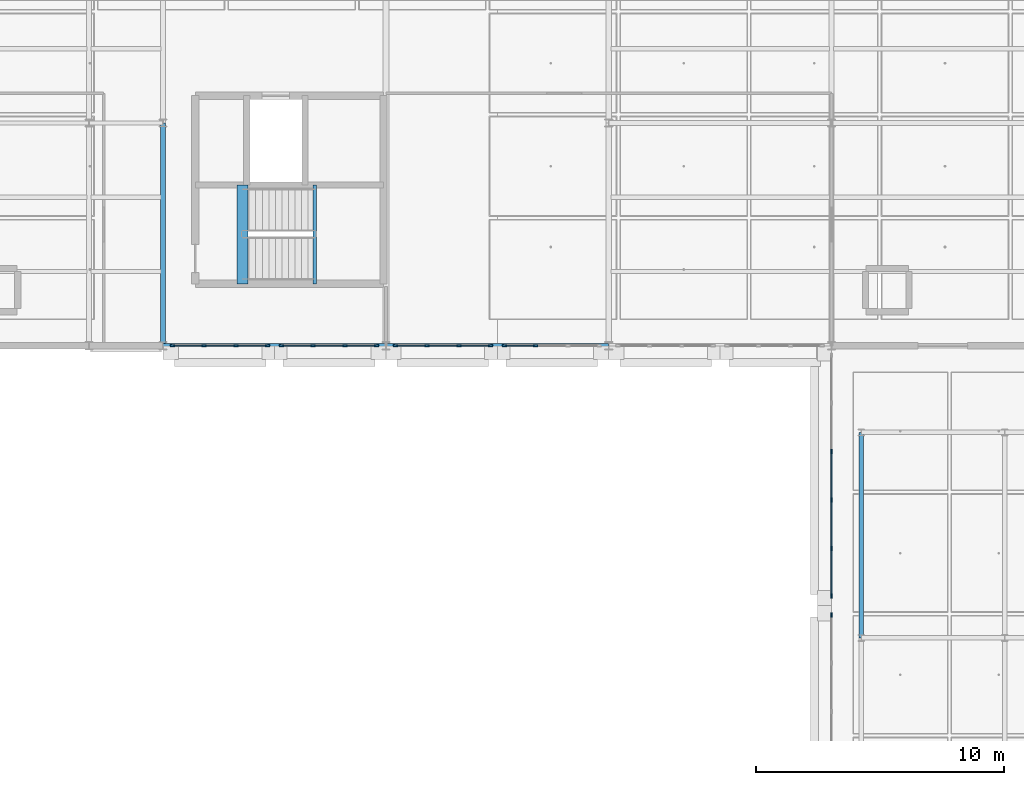
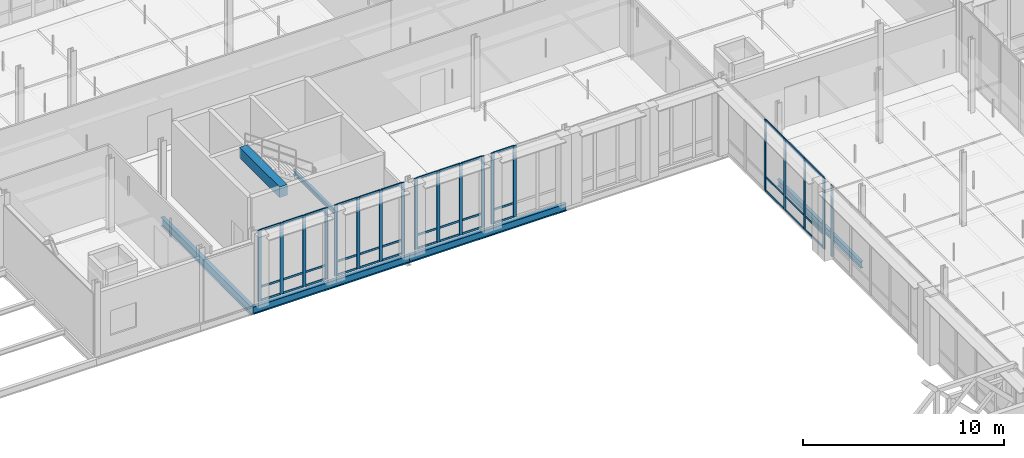
# One storey, part 51 of 140: 58 members, 6 beams, 6 elements without a shape of their own.
"""IFC4 building model written with IfcOpenShell, lengths in metres."""

from ifc_helpers import new_model, si_unit, direction, frame, origin, origin_2d, place, context, subcontext, project, spatial, rectangle, i_section, extrude, material, material_profile, profile_set, type_object, element, aggregate, save


model = new_model("IFC4")

# Units and contexts
model_context = context("Model", 3, precision=1e-05, world=origin(), true_north=direction((0.0, 1.0)))
body_context = subcontext(model_context, "Body", "Model", "MODEL_VIEW")
ifc_project = project(units=[si_unit("LENGTHUNIT", "METRE"), si_unit("AREAUNIT", "SQUARE_METRE"), si_unit("VOLUMEUNIT", "CUBIC_METRE"), si_unit("PLANEANGLEUNIT", "RADIAN"), si_unit("MASSUNIT", "GRAM", prefix="KILO"), si_unit("THERMODYNAMICTEMPERATUREUNIT", "KELVIN"), si_unit("POWERUNIT", "WATT")], contexts=[model_context])

# Site, building, storey
site_placement = place(None, origin())
site = spatial("IfcSite", under=ifc_project, at=site_placement, CompositionType="ELEMENT")
building_placement = place(site_placement, origin())
building = spatial("IfcBuilding", under=site, at=building_placement, Name="Tallowbark Science Centre", CompositionType="ELEMENT")
storey_placement = place(building_placement, frame((0.0, 0.0, 9.89990234375)))
storey = spatial("IfcBuildingStorey", under=building, at=storey_placement, Name="L02", CompositionType="ELEMENT", Elevation=9.89990234375)

# Beams
ifc_material_1 = material(Name="Concrete Grade N40 (40 MPa)", Category="concrete")
ifc_material_profile_1 = material_profile(ifc_material_1, rectangle(XDim=0.449951171875, YDim=0.64990234375, at=origin_2d()), Name="RC450x650")
ifc_profile_set_1 = profile_set([ifc_material_profile_1], Name="Concrete Grade N40 (40 MPa)")
beam_type_1 = type_object("IfcBeamType", Name="BM-GB2-N40", PredefinedType="BEAM", material=ifc_profile_set_1)
beam_1_placement = place(storey_placement, frame((75.2099609375, 74.5, 4.175048828125), z_axis=(0.0, 1.0, 0.0), x_axis=(-1.0, 0.0, 0.0)))
element("IfcBeam", 1, at=beam_1_placement, inside=storey, type_object=beam_type_1, Name="Stair ST-01 Landing Nosing Beam L02", PredefinedType="BEAM", context=body_context, shape_type="SweptSolid", body=[
    extrude(rectangle(XDim=0.449951171875, YDim=0.64990234375, at=origin_2d()), origin(), (0.0, 0.0, 1.0), 3.9951171875),
])
ifc_material_2 = material(Name="Structural Steel Grade 300PLUS (300 MPa)", Category="steel")
ifc_material_profile_2 = material_profile(ifc_material_2, i_section(OverallWidth=0.177734375, OverallDepth=0.406494140625, WebThickness=0.0078125, FlangeThickness=0.0126953125, FilletRadius=0.011474609375, at=origin_2d()), Name="410UB59.7")
ifc_profile_set_2 = profile_set([ifc_material_profile_2], Name="Structural Steel Grade 300PLUS (300 MPa)")
beam_type_2 = type_object("IfcBeamType", Name="BM-UB410", PredefinedType="BEAM", material=ifc_profile_set_2)
beam_2_placement = place(storey_placement, frame((100.199951171875, 60.199951171875, -0.383056640625), z_axis=(0.0, 1.0, 0.0), x_axis=(-1.0, 0.0, 0.0)))
element("IfcBeam", 2, at=beam_2_placement, inside=storey, type_object=beam_type_2, Name="Primary Girder GRDY-L02-1002-602-685", PredefinedType="BEAM", context=body_context, shape_type="SweptSolid", body=[
    extrude(i_section(OverallWidth=0.177734375, OverallDepth=0.406494140625, WebThickness=0.0078125, FlangeThickness=0.0126953125, FilletRadius=0.011474609375, at=origin_2d()), origin(), (0.0, 0.0, 1.0), 8.300048828125),
])
ifc_material_profile_3 = material_profile(ifc_material_2, i_section(OverallWidth=0.208740234375, OverallDepth=0.5283203125, WebThickness=0.009521484375, FlangeThickness=0.01318359375, FilletRadius=0.013916015625, at=origin_2d()), Name="530UB82.0")
ifc_profile_set_3 = profile_set([ifc_material_profile_3], Name="Structural Steel Grade 300PLUS (300 MPa)")
beam_type_3 = type_object("IfcBeamType", Name="BM-UB530B", PredefinedType="BEAM", material=ifc_profile_set_3)
beam_3_placement = place(storey_placement, frame((72.0, 72.0, -0.444091796875), z_axis=(0.0, 1.0, 0.0), x_axis=(-1.0, 0.0, 0.0)))
element("IfcBeam", 3, at=beam_3_placement, inside=storey, type_object=beam_type_3, Name="Primary Girder GRDY-L02-720-720-810", PredefinedType="BEAM", context=body_context, shape_type="SweptSolid", body=[
    extrude(i_section(OverallWidth=0.208740234375, OverallDepth=0.5283203125, WebThickness=0.009521484375, FlangeThickness=0.01318359375, FilletRadius=0.013916015625, at=origin_2d()), origin(), (0.0, 0.0, 1.0), 9.0),
])

# Curtain wall, member
ifc_material_3 = material(Name="Unitised Thermally Broken Aluminium and Low-E Double Glazing", Category="aluminium")
curtain_wall_type = type_object("IfcCurtainWallType", Name="CW-SYS-FACADE", PredefinedType="NOTDEFINED", material=ifc_material_3)
curtain_wall_1_placement = place(storey_placement, origin())
curtain_wall_1 = element("IfcCurtainWall", 4, at=curtain_wall_1_placement, inside=storey, type_object=curtain_wall_type, Name="Unitised Curtain Wall LNK-W-1 CW-L02-018", PredefinedType="NOTDEFINED")
ifc_material_4 = material(Name="Anodised Architectural Aluminium Alloy 6063-T6", Category="aluminium")
ifc_material_profile_4 = material_profile(ifc_material_4, rectangle(XDim=0.06494140625, YDim=0.179931640625, at=origin_2d()), Name="ALU65x180")
ifc_profile_set_4 = profile_set([ifc_material_profile_4], Name="Anodised Architectural Aluminium Alloy 6063-T6")
member_type_1 = type_object("IfcMemberType", Name="CWM-MUL-220", PredefinedType="MULLION", material=ifc_profile_set_4)
member_1_placement = place(storey_placement, frame((99.0, 61.117431640625, 0.0), z_axis=(0.0, 0.0, 1.0), x_axis=(1.0, 0.0, 0.0)))
member_1 = element("IfcMember", 5, at=member_1_placement, type_object=member_type_1, Name="CW-01 mullion 1", PredefinedType="MULLION", context=body_context, shape_type="SweptSolid", body=[
    extrude(rectangle(XDim=0.06494140625, YDim=0.179931640625, at=origin_2d()), origin(), (0.0, 0.0, 1.0), 4.320068359375),
])
aggregate(curtain_wall_1, [member_1])

# Curtain wall, members
curtain_wall_2_placement = place(storey_placement, origin())
curtain_wall_2 = element("IfcCurtainWall", 6, at=curtain_wall_2_placement, inside=storey, type_object=curtain_wall_type, Name="Unitised Curtain Wall LNK-W-2 CW-L02-020", PredefinedType="NOTDEFINED")
member_2_placement = place(storey_placement, frame((99.0, 67.72998046875, 0.0), z_axis=(0.0, 0.0, 1.0), x_axis=(1.0, 0.0, 0.0)))
member_2 = element("IfcMember", 7, at=member_2_placement, type_object=member_type_1, Name="CW-01 mullion 3", PredefinedType="MULLION", context=body_context, shape_type="SweptSolid", body=[
    extrude(rectangle(XDim=0.06494140625, YDim=0.179931640625, at=origin_2d()), origin(), (0.0, 0.0, 1.0), 4.320068359375),
])
member_3_placement = place(storey_placement, frame((99.0, 65.77001953125, 0.0), z_axis=(0.0, 0.0, 1.0), x_axis=(1.0, 0.0, 0.0)))
member_3 = element("IfcMember", 8, at=member_3_placement, type_object=member_type_1, Name="CW-01 mullion 4", PredefinedType="MULLION", context=body_context, shape_type="SweptSolid", body=[
    extrude(rectangle(XDim=0.06494140625, YDim=0.179931640625, at=origin_2d()), origin(), (0.0, 0.0, 1.0), 4.320068359375),
])
member_4_placement = place(storey_placement, frame((99.0, 63.81005859375, 0.0), z_axis=(0.0, 0.0, 1.0), x_axis=(1.0, 0.0, 0.0)))
member_4 = element("IfcMember", 9, at=member_4_placement, type_object=member_type_1, Name="CW-01 mullion 5", PredefinedType="MULLION", context=body_context, shape_type="SweptSolid", body=[
    extrude(rectangle(XDim=0.06494140625, YDim=0.179931640625, at=origin_2d()), origin(), (0.0, 0.0, 1.0), 4.320068359375),
])
member_5_placement = place(storey_placement, frame((99.0, 61.882568359375, 0.0), z_axis=(0.0, 0.0, 1.0), x_axis=(1.0, 0.0, 0.0)))
member_5 = element("IfcMember", 10, at=member_5_placement, type_object=member_type_1, Name="CW-01 mullion 6", PredefinedType="MULLION", context=body_context, shape_type="SweptSolid", body=[
    extrude(rectangle(XDim=0.06494140625, YDim=0.179931640625, at=origin_2d()), origin(), (0.0, 0.0, 1.0), 4.320068359375),
])

curtain_wall_3_placement = place(storey_placement, origin())
curtain_wall_3 = element("IfcCurtainWall", 11, at=curtain_wall_3_placement, inside=storey, type_object=curtain_wall_type, Name="Unitised Curtain Wall LAB-S-72A CW-L02-060", PredefinedType="NOTDEFINED")
member_6_placement = place(storey_placement, frame((72.382568359375, 72.0, 0.0), z_axis=(0.0, 0.0, 1.0), x_axis=(0.0, 1.0, 0.0)))
member_6 = element("IfcMember", 12, at=member_6_placement, type_object=member_type_1, Name="CW-01 mullion 1", PredefinedType="MULLION", context=body_context, shape_type="SweptSolid", body=[
    extrude(rectangle(XDim=0.06494140625, YDim=0.179931640625, at=origin_2d()), origin(), (0.0, 0.0, 1.0), 4.320068359375),
])
member_7_placement = place(storey_placement, frame((73.64990234375, 72.0, 0.0), z_axis=(0.0, 0.0, 1.0), x_axis=(0.0, 1.0, 0.0)))
member_7 = element("IfcMember", 13, at=member_7_placement, type_object=member_type_1, Name="CW-01 mullion 2", PredefinedType="MULLION", context=body_context, shape_type="SweptSolid", body=[
    extrude(rectangle(XDim=0.06494140625, YDim=0.179931640625, at=origin_2d()), origin(), (0.0, 0.0, 1.0), 4.320068359375),
])
member_8_placement = place(storey_placement, frame((74.949951171875, 72.0, 0.0), z_axis=(0.0, 0.0, 1.0), x_axis=(0.0, 1.0, 0.0)))
member_8 = element("IfcMember", 14, at=member_8_placement, type_object=member_type_1, Name="CW-01 mullion 3", PredefinedType="MULLION", context=body_context, shape_type="SweptSolid", body=[
    extrude(rectangle(XDim=0.06494140625, YDim=0.179931640625, at=origin_2d()), origin(), (0.0, 0.0, 1.0), 4.320068359375),
])
member_9_placement = place(storey_placement, frame((76.217529296875, 72.0, 0.0), z_axis=(0.0, 0.0, 1.0), x_axis=(0.0, 1.0, 0.0)))
member_9 = element("IfcMember", 15, at=member_9_placement, type_object=member_type_1, Name="CW-01 mullion 4", PredefinedType="MULLION", context=body_context, shape_type="SweptSolid", body=[
    extrude(rectangle(XDim=0.06494140625, YDim=0.179931640625, at=origin_2d()), origin(), (0.0, 0.0, 1.0), 4.320068359375),
])

curtain_wall_4_placement = place(storey_placement, origin())
curtain_wall_4 = element("IfcCurtainWall", 16, at=curtain_wall_4_placement, inside=storey, type_object=curtain_wall_type, Name="Unitised Curtain Wall LAB-S-72B CW-L02-061", PredefinedType="NOTDEFINED")
member_10_placement = place(storey_placement, frame((76.782470703125, 72.0, 0.0), z_axis=(0.0, 0.0, 1.0), x_axis=(0.0, 1.0, 0.0)))
member_10 = element("IfcMember", 17, at=member_10_placement, type_object=member_type_1, Name="CW-01 mullion 1", PredefinedType="MULLION", context=body_context, shape_type="SweptSolid", body=[
    extrude(rectangle(XDim=0.06494140625, YDim=0.179931640625, at=origin_2d()), origin(), (0.0, 0.0, 1.0), 4.320068359375),
])
member_11_placement = place(storey_placement, frame((78.050048828125, 72.0, 0.0), z_axis=(0.0, 0.0, 1.0), x_axis=(0.0, 1.0, 0.0)))
member_11 = element("IfcMember", 18, at=member_11_placement, type_object=member_type_1, Name="CW-01 mullion 2", PredefinedType="MULLION", context=body_context, shape_type="SweptSolid", body=[
    extrude(rectangle(XDim=0.06494140625, YDim=0.179931640625, at=origin_2d()), origin(), (0.0, 0.0, 1.0), 4.320068359375),
])
member_12_placement = place(storey_placement, frame((79.35009765625, 72.0, 0.0), z_axis=(0.0, 0.0, 1.0), x_axis=(0.0, 1.0, 0.0)))
member_12 = element("IfcMember", 19, at=member_12_placement, type_object=member_type_1, Name="CW-01 mullion 3", PredefinedType="MULLION", context=body_context, shape_type="SweptSolid", body=[
    extrude(rectangle(XDim=0.06494140625, YDim=0.179931640625, at=origin_2d()), origin(), (0.0, 0.0, 1.0), 4.320068359375),
])
member_13_placement = place(storey_placement, frame((80.617431640625, 72.0, 0.0), z_axis=(0.0, 0.0, 1.0), x_axis=(0.0, 1.0, 0.0)))
member_13 = element("IfcMember", 20, at=member_13_placement, type_object=member_type_1, Name="CW-01 mullion 4", PredefinedType="MULLION", context=body_context, shape_type="SweptSolid", body=[
    extrude(rectangle(XDim=0.06494140625, YDim=0.179931640625, at=origin_2d()), origin(), (0.0, 0.0, 1.0), 4.320068359375),
])

curtain_wall_5_placement = place(storey_placement, origin())
curtain_wall_5 = element("IfcCurtainWall", 21, at=curtain_wall_5_placement, inside=storey, type_object=curtain_wall_type, Name="Unitised Curtain Wall LAB-S-81A CW-L02-062", PredefinedType="NOTDEFINED")
member_14_placement = place(storey_placement, frame((81.382568359375, 72.0, 0.0), z_axis=(0.0, 0.0, 1.0), x_axis=(0.0, 1.0, 0.0)))
member_14 = element("IfcMember", 22, at=member_14_placement, type_object=member_type_1, Name="CW-01 mullion 1", PredefinedType="MULLION", context=body_context, shape_type="SweptSolid", body=[
    extrude(rectangle(XDim=0.06494140625, YDim=0.179931640625, at=origin_2d()), origin(), (0.0, 0.0, 1.0), 4.320068359375),
])
member_15_placement = place(storey_placement, frame((82.64990234375, 72.0, 0.0), z_axis=(0.0, 0.0, 1.0), x_axis=(0.0, 1.0, 0.0)))
member_15 = element("IfcMember", 23, at=member_15_placement, type_object=member_type_1, Name="CW-01 mullion 2", PredefinedType="MULLION", context=body_context, shape_type="SweptSolid", body=[
    extrude(rectangle(XDim=0.06494140625, YDim=0.179931640625, at=origin_2d()), origin(), (0.0, 0.0, 1.0), 4.320068359375),
])
member_16_placement = place(storey_placement, frame((83.949951171875, 72.0, 0.0), z_axis=(0.0, 0.0, 1.0), x_axis=(0.0, 1.0, 0.0)))
member_16 = element("IfcMember", 24, at=member_16_placement, type_object=member_type_1, Name="CW-01 mullion 3", PredefinedType="MULLION", context=body_context, shape_type="SweptSolid", body=[
    extrude(rectangle(XDim=0.06494140625, YDim=0.179931640625, at=origin_2d()), origin(), (0.0, 0.0, 1.0), 4.320068359375),
])
member_17_placement = place(storey_placement, frame((85.217529296875, 72.0, 0.0), z_axis=(0.0, 0.0, 1.0), x_axis=(0.0, 1.0, 0.0)))
member_17 = element("IfcMember", 25, at=member_17_placement, type_object=member_type_1, Name="CW-01 mullion 4", PredefinedType="MULLION", context=body_context, shape_type="SweptSolid", body=[
    extrude(rectangle(XDim=0.06494140625, YDim=0.179931640625, at=origin_2d()), origin(), (0.0, 0.0, 1.0), 4.320068359375),
])

curtain_wall_6_placement = place(storey_placement, origin())
curtain_wall_6 = element("IfcCurtainWall", 26, at=curtain_wall_6_placement, inside=storey, type_object=curtain_wall_type, Name="Unitised Curtain Wall LAB-S-81B CW-L02-063", PredefinedType="NOTDEFINED")
member_18_placement = place(storey_placement, frame((85.782470703125, 72.0, 0.0), z_axis=(0.0, 0.0, 1.0), x_axis=(0.0, 1.0, 0.0)))
member_18 = element("IfcMember", 27, at=member_18_placement, type_object=member_type_1, Name="CW-01 mullion 1", PredefinedType="MULLION", context=body_context, shape_type="SweptSolid", body=[
    extrude(rectangle(XDim=0.06494140625, YDim=0.179931640625, at=origin_2d()), origin(), (0.0, 0.0, 1.0), 4.320068359375),
])
member_19_placement = place(storey_placement, frame((87.050048828125, 72.0, 0.0), z_axis=(0.0, 0.0, 1.0), x_axis=(0.0, 1.0, 0.0)))
member_19 = element("IfcMember", 28, at=member_19_placement, type_object=member_type_1, Name="CW-01 mullion 2", PredefinedType="MULLION", context=body_context, shape_type="SweptSolid", body=[
    extrude(rectangle(XDim=0.06494140625, YDim=0.179931640625, at=origin_2d()), origin(), (0.0, 0.0, 1.0), 4.320068359375),
])

# Member
ifc_material_profile_5 = material_profile(ifc_material_4, rectangle(XDim=0.054931640625, YDim=0.1201171875, at=origin_2d()), Name="ALU55x120")
ifc_profile_set_5 = profile_set([ifc_material_profile_5], Name="Anodised Architectural Aluminium Alloy 6063-T6")
member_type_2 = type_object("IfcMemberType", Name="CWM-TRN-150", PredefinedType="USERDEFINED", material=ifc_profile_set_5)
member_20_placement = place(storey_placement, frame((99.0, 67.697509765625, 0.027587890625), z_axis=(0.0, -1.0, 0.0), x_axis=(1.0, 0.0, 0.0)))
member_20 = element("IfcMember", 29, at=member_20_placement, type_object=member_type_2, Name="CW-01 transom 3.1", ObjectType="TRANSOM", PredefinedType="USERDEFINED", context=body_context, shape_type="SweptSolid", body=[
    extrude(rectangle(XDim=0.054931640625, YDim=0.1201171875, at=origin_2d()), origin(), (0.0, 0.0, 1.0), 1.89501953125),
])

member_21_placement = place(storey_placement, frame((99.0, 67.697509765625, 0.85009765625), z_axis=(0.0, -1.0, 0.0), x_axis=(1.0, 0.0, 0.0)))
member_21 = element("IfcMember", 30, at=member_21_placement, type_object=member_type_2, Name="CW-01 transom 3.2", ObjectType="TRANSOM", PredefinedType="USERDEFINED", context=body_context, shape_type="SweptSolid", body=[
    extrude(rectangle(XDim=0.054931640625, YDim=0.1201171875, at=origin_2d()), origin(), (0.0, 0.0, 1.0), 1.89501953125),
])

member_22_placement = place(storey_placement, frame((99.0, 67.697509765625, 4.29248046875), z_axis=(0.0, -1.0, 0.0), x_axis=(1.0, 0.0, 0.0)))
member_22 = element("IfcMember", 31, at=member_22_placement, type_object=member_type_2, Name="CW-01 transom 3.3", ObjectType="TRANSOM", PredefinedType="USERDEFINED", context=body_context, shape_type="SweptSolid", body=[
    extrude(rectangle(XDim=0.054931640625, YDim=0.1201171875, at=origin_2d()), origin(), (0.0, 0.0, 1.0), 1.89501953125),
])

member_23_placement = place(storey_placement, frame((99.0, 65.737548828125, 0.027587890625), z_axis=(0.0, -1.0, 0.0), x_axis=(1.0, 0.0, 0.0)))
member_23 = element("IfcMember", 32, at=member_23_placement, type_object=member_type_2, Name="CW-01 transom 4.1", ObjectType="TRANSOM", PredefinedType="USERDEFINED", context=body_context, shape_type="SweptSolid", body=[
    extrude(rectangle(XDim=0.054931640625, YDim=0.1201171875, at=origin_2d()), origin(), (0.0, 0.0, 1.0), 1.89501953125),
])

member_24_placement = place(storey_placement, frame((99.0, 65.737548828125, 0.85009765625), z_axis=(0.0, -1.0, 0.0), x_axis=(1.0, 0.0, 0.0)))
member_24 = element("IfcMember", 33, at=member_24_placement, type_object=member_type_2, Name="CW-01 transom 4.2", ObjectType="TRANSOM", PredefinedType="USERDEFINED", context=body_context, shape_type="SweptSolid", body=[
    extrude(rectangle(XDim=0.054931640625, YDim=0.1201171875, at=origin_2d()), origin(), (0.0, 0.0, 1.0), 1.89501953125),
])

member_25_placement = place(storey_placement, frame((99.0, 65.737548828125, 4.29248046875), z_axis=(0.0, -1.0, 0.0), x_axis=(1.0, 0.0, 0.0)))
member_25 = element("IfcMember", 34, at=member_25_placement, type_object=member_type_2, Name="CW-01 transom 4.3", ObjectType="TRANSOM", PredefinedType="USERDEFINED", context=body_context, shape_type="SweptSolid", body=[
    extrude(rectangle(XDim=0.054931640625, YDim=0.1201171875, at=origin_2d()), origin(), (0.0, 0.0, 1.0), 1.89501953125),
])

member_26_placement = place(storey_placement, frame((99.0, 63.777587890625, 0.027587890625), z_axis=(0.0, -1.0, 0.0), x_axis=(1.0, 0.0, 0.0)))
member_26 = element("IfcMember", 35, at=member_26_placement, type_object=member_type_2, Name="CW-01 transom 5.1", ObjectType="TRANSOM", PredefinedType="USERDEFINED", context=body_context, shape_type="SweptSolid", body=[
    extrude(rectangle(XDim=0.054931640625, YDim=0.1201171875, at=origin_2d()), origin(), (0.0, 0.0, 1.0), 1.862548828125),
])

member_27_placement = place(storey_placement, frame((99.0, 63.777587890625, 0.85009765625), z_axis=(0.0, -1.0, 0.0), x_axis=(1.0, 0.0, 0.0)))
member_27 = element("IfcMember", 36, at=member_27_placement, type_object=member_type_2, Name="CW-01 transom 5.2", ObjectType="TRANSOM", PredefinedType="USERDEFINED", context=body_context, shape_type="SweptSolid", body=[
    extrude(rectangle(XDim=0.054931640625, YDim=0.1201171875, at=origin_2d()), origin(), (0.0, 0.0, 1.0), 1.862548828125),
])

member_28_placement = place(storey_placement, frame((99.0, 63.777587890625, 4.29248046875), z_axis=(0.0, -1.0, 0.0), x_axis=(1.0, 0.0, 0.0)))
member_28 = element("IfcMember", 37, at=member_28_placement, type_object=member_type_2, Name="CW-01 transom 5.3", ObjectType="TRANSOM", PredefinedType="USERDEFINED", context=body_context, shape_type="SweptSolid", body=[
    extrude(rectangle(XDim=0.054931640625, YDim=0.1201171875, at=origin_2d()), origin(), (0.0, 0.0, 1.0), 1.862548828125),
])

aggregate(curtain_wall_2, [member_2, member_3, member_4, member_5, member_20, member_21, member_22, member_23, member_24, member_25, member_26, member_27, member_28])

member_29_placement = place(storey_placement, frame((72.4150390625, 72.0, 0.027587890625), z_axis=(1.0, 0.0, 0.0), x_axis=(0.0, 1.0, 0.0)))
member_29 = element("IfcMember", 38, at=member_29_placement, type_object=member_type_2, Name="CW-01 transom 1.1", ObjectType="TRANSOM", PredefinedType="USERDEFINED", context=body_context, shape_type="SweptSolid", body=[
    extrude(rectangle(XDim=0.054931640625, YDim=0.1201171875, at=origin_2d()), origin(), (0.0, 0.0, 1.0), 1.202392578125),
])

member_30_placement = place(storey_placement, frame((72.4150390625, 72.0, 0.85009765625), z_axis=(1.0, 0.0, 0.0), x_axis=(0.0, 1.0, 0.0)))
member_30 = element("IfcMember", 39, at=member_30_placement, type_object=member_type_2, Name="CW-01 transom 1.2", ObjectType="TRANSOM", PredefinedType="USERDEFINED", context=body_context, shape_type="SweptSolid", body=[
    extrude(rectangle(XDim=0.054931640625, YDim=0.1201171875, at=origin_2d()), origin(), (0.0, 0.0, 1.0), 1.202392578125),
])

member_31_placement = place(storey_placement, frame((72.4150390625, 72.0, 4.29248046875), z_axis=(1.0, 0.0, 0.0), x_axis=(0.0, 1.0, 0.0)))
member_31 = element("IfcMember", 40, at=member_31_placement, type_object=member_type_2, Name="CW-01 transom 1.3", ObjectType="TRANSOM", PredefinedType="USERDEFINED", context=body_context, shape_type="SweptSolid", body=[
    extrude(rectangle(XDim=0.054931640625, YDim=0.1201171875, at=origin_2d()), origin(), (0.0, 0.0, 1.0), 1.202392578125),
])

member_32_placement = place(storey_placement, frame((73.6826171875, 72.0, 0.027587890625), z_axis=(1.0, 0.0, 0.0), x_axis=(0.0, 1.0, 0.0)))
member_32 = element("IfcMember", 41, at=member_32_placement, type_object=member_type_2, Name="CW-01 transom 2.1", ObjectType="TRANSOM", PredefinedType="USERDEFINED", context=body_context, shape_type="SweptSolid", body=[
    extrude(rectangle(XDim=0.054931640625, YDim=0.1201171875, at=origin_2d()), origin(), (0.0, 0.0, 1.0), 1.23486328125),
])

member_33_placement = place(storey_placement, frame((73.6826171875, 72.0, 0.85009765625), z_axis=(1.0, 0.0, 0.0), x_axis=(0.0, 1.0, 0.0)))
member_33 = element("IfcMember", 42, at=member_33_placement, type_object=member_type_2, Name="CW-01 transom 2.2", ObjectType="TRANSOM", PredefinedType="USERDEFINED", context=body_context, shape_type="SweptSolid", body=[
    extrude(rectangle(XDim=0.054931640625, YDim=0.1201171875, at=origin_2d()), origin(), (0.0, 0.0, 1.0), 1.23486328125),
])

member_34_placement = place(storey_placement, frame((73.6826171875, 72.0, 4.29248046875), z_axis=(1.0, 0.0, 0.0), x_axis=(0.0, 1.0, 0.0)))
member_34 = element("IfcMember", 43, at=member_34_placement, type_object=member_type_2, Name="CW-01 transom 2.3", ObjectType="TRANSOM", PredefinedType="USERDEFINED", context=body_context, shape_type="SweptSolid", body=[
    extrude(rectangle(XDim=0.054931640625, YDim=0.1201171875, at=origin_2d()), origin(), (0.0, 0.0, 1.0), 1.23486328125),
])

member_35_placement = place(storey_placement, frame((74.982421875, 72.0, 0.027587890625), z_axis=(1.0, 0.0, 0.0), x_axis=(0.0, 1.0, 0.0)))
member_35 = element("IfcMember", 44, at=member_35_placement, type_object=member_type_2, Name="CW-01 transom 3.1", ObjectType="TRANSOM", PredefinedType="USERDEFINED", context=body_context, shape_type="SweptSolid", body=[
    extrude(rectangle(XDim=0.054931640625, YDim=0.1201171875, at=origin_2d()), origin(), (0.0, 0.0, 1.0), 1.20263671875),
])

member_36_placement = place(storey_placement, frame((74.982421875, 72.0, 0.85009765625), z_axis=(1.0, 0.0, 0.0), x_axis=(0.0, 1.0, 0.0)))
member_36 = element("IfcMember", 45, at=member_36_placement, type_object=member_type_2, Name="CW-01 transom 3.2", ObjectType="TRANSOM", PredefinedType="USERDEFINED", context=body_context, shape_type="SweptSolid", body=[
    extrude(rectangle(XDim=0.054931640625, YDim=0.1201171875, at=origin_2d()), origin(), (0.0, 0.0, 1.0), 1.20263671875),
])

member_37_placement = place(storey_placement, frame((74.982421875, 72.0, 4.29248046875), z_axis=(1.0, 0.0, 0.0), x_axis=(0.0, 1.0, 0.0)))
member_37 = element("IfcMember", 46, at=member_37_placement, type_object=member_type_2, Name="CW-01 transom 3.3", ObjectType="TRANSOM", PredefinedType="USERDEFINED", context=body_context, shape_type="SweptSolid", body=[
    extrude(rectangle(XDim=0.054931640625, YDim=0.1201171875, at=origin_2d()), origin(), (0.0, 0.0, 1.0), 1.20263671875),
])

aggregate(curtain_wall_3, [member_6, member_7, member_8, member_9, member_29, member_30, member_31, member_32, member_33, member_34, member_35, member_36, member_37])

member_38_placement = place(storey_placement, frame((76.81494140625, 72.0, 0.027587890625), z_axis=(1.0, 0.0, 0.0), x_axis=(0.0, 1.0, 0.0)))
member_38 = element("IfcMember", 47, at=member_38_placement, type_object=member_type_2, Name="CW-01 transom 1.1", ObjectType="TRANSOM", PredefinedType="USERDEFINED", context=body_context, shape_type="SweptSolid", body=[
    extrude(rectangle(XDim=0.054931640625, YDim=0.1201171875, at=origin_2d()), origin(), (0.0, 0.0, 1.0), 1.20263671875),
])

member_39_placement = place(storey_placement, frame((76.81494140625, 72.0, 0.85009765625), z_axis=(1.0, 0.0, 0.0), x_axis=(0.0, 1.0, 0.0)))
member_39 = element("IfcMember", 48, at=member_39_placement, type_object=member_type_2, Name="CW-01 transom 1.2", ObjectType="TRANSOM", PredefinedType="USERDEFINED", context=body_context, shape_type="SweptSolid", body=[
    extrude(rectangle(XDim=0.054931640625, YDim=0.1201171875, at=origin_2d()), origin(), (0.0, 0.0, 1.0), 1.20263671875),
])

member_40_placement = place(storey_placement, frame((76.81494140625, 72.0, 4.29248046875), z_axis=(1.0, 0.0, 0.0), x_axis=(0.0, 1.0, 0.0)))
member_40 = element("IfcMember", 49, at=member_40_placement, type_object=member_type_2, Name="CW-01 transom 1.3", ObjectType="TRANSOM", PredefinedType="USERDEFINED", context=body_context, shape_type="SweptSolid", body=[
    extrude(rectangle(XDim=0.054931640625, YDim=0.1201171875, at=origin_2d()), origin(), (0.0, 0.0, 1.0), 1.20263671875),
])

member_41_placement = place(storey_placement, frame((78.08251953125, 72.0, 0.027587890625), z_axis=(1.0, 0.0, 0.0), x_axis=(0.0, 1.0, 0.0)))
member_41 = element("IfcMember", 50, at=member_41_placement, type_object=member_type_2, Name="CW-01 transom 2.1", ObjectType="TRANSOM", PredefinedType="USERDEFINED", context=body_context, shape_type="SweptSolid", body=[
    extrude(rectangle(XDim=0.054931640625, YDim=0.1201171875, at=origin_2d()), origin(), (0.0, 0.0, 1.0), 1.23486328125),
])

member_42_placement = place(storey_placement, frame((78.08251953125, 72.0, 0.85009765625), z_axis=(1.0, 0.0, 0.0), x_axis=(0.0, 1.0, 0.0)))
member_42 = element("IfcMember", 51, at=member_42_placement, type_object=member_type_2, Name="CW-01 transom 2.2", ObjectType="TRANSOM", PredefinedType="USERDEFINED", context=body_context, shape_type="SweptSolid", body=[
    extrude(rectangle(XDim=0.054931640625, YDim=0.1201171875, at=origin_2d()), origin(), (0.0, 0.0, 1.0), 1.23486328125),
])

member_43_placement = place(storey_placement, frame((78.08251953125, 72.0, 4.29248046875), z_axis=(1.0, 0.0, 0.0), x_axis=(0.0, 1.0, 0.0)))
member_43 = element("IfcMember", 52, at=member_43_placement, type_object=member_type_2, Name="CW-01 transom 2.3", ObjectType="TRANSOM", PredefinedType="USERDEFINED", context=body_context, shape_type="SweptSolid", body=[
    extrude(rectangle(XDim=0.054931640625, YDim=0.1201171875, at=origin_2d()), origin(), (0.0, 0.0, 1.0), 1.23486328125),
])

member_44_placement = place(storey_placement, frame((79.382568359375, 72.0, 0.027587890625), z_axis=(1.0, 0.0, 0.0), x_axis=(0.0, 1.0, 0.0)))
member_44 = element("IfcMember", 53, at=member_44_placement, type_object=member_type_2, Name="CW-01 transom 3.1", ObjectType="TRANSOM", PredefinedType="USERDEFINED", context=body_context, shape_type="SweptSolid", body=[
    extrude(rectangle(XDim=0.054931640625, YDim=0.1201171875, at=origin_2d()), origin(), (0.0, 0.0, 1.0), 1.202392578125),
])

member_45_placement = place(storey_placement, frame((79.382568359375, 72.0, 0.85009765625), z_axis=(1.0, 0.0, 0.0), x_axis=(0.0, 1.0, 0.0)))
member_45 = element("IfcMember", 54, at=member_45_placement, type_object=member_type_2, Name="CW-01 transom 3.2", ObjectType="TRANSOM", PredefinedType="USERDEFINED", context=body_context, shape_type="SweptSolid", body=[
    extrude(rectangle(XDim=0.054931640625, YDim=0.1201171875, at=origin_2d()), origin(), (0.0, 0.0, 1.0), 1.202392578125),
])

member_46_placement = place(storey_placement, frame((79.382568359375, 72.0, 4.29248046875), z_axis=(1.0, 0.0, 0.0), x_axis=(0.0, 1.0, 0.0)))
member_46 = element("IfcMember", 55, at=member_46_placement, type_object=member_type_2, Name="CW-01 transom 3.3", ObjectType="TRANSOM", PredefinedType="USERDEFINED", context=body_context, shape_type="SweptSolid", body=[
    extrude(rectangle(XDim=0.054931640625, YDim=0.1201171875, at=origin_2d()), origin(), (0.0, 0.0, 1.0), 1.202392578125),
])

aggregate(curtain_wall_4, [member_10, member_11, member_12, member_13, member_38, member_39, member_40, member_41, member_42, member_43, member_44, member_45, member_46])

member_47_placement = place(storey_placement, frame((81.4150390625, 72.0, 0.027587890625), z_axis=(1.0, 0.0, 0.0), x_axis=(0.0, 1.0, 0.0)))
member_47 = element("IfcMember", 56, at=member_47_placement, type_object=member_type_2, Name="CW-01 transom 1.1", ObjectType="TRANSOM", PredefinedType="USERDEFINED", context=body_context, shape_type="SweptSolid", body=[
    extrude(rectangle(XDim=0.054931640625, YDim=0.1201171875, at=origin_2d()), origin(), (0.0, 0.0, 1.0), 1.202392578125),
])

member_48_placement = place(storey_placement, frame((81.4150390625, 72.0, 0.85009765625), z_axis=(1.0, 0.0, 0.0), x_axis=(0.0, 1.0, 0.0)))
member_48 = element("IfcMember", 57, at=member_48_placement, type_object=member_type_2, Name="CW-01 transom 1.2", ObjectType="TRANSOM", PredefinedType="USERDEFINED", context=body_context, shape_type="SweptSolid", body=[
    extrude(rectangle(XDim=0.054931640625, YDim=0.1201171875, at=origin_2d()), origin(), (0.0, 0.0, 1.0), 1.202392578125),
])

member_49_placement = place(storey_placement, frame((81.4150390625, 72.0, 4.29248046875), z_axis=(1.0, 0.0, 0.0), x_axis=(0.0, 1.0, 0.0)))
member_49 = element("IfcMember", 58, at=member_49_placement, type_object=member_type_2, Name="CW-01 transom 1.3", ObjectType="TRANSOM", PredefinedType="USERDEFINED", context=body_context, shape_type="SweptSolid", body=[
    extrude(rectangle(XDim=0.054931640625, YDim=0.1201171875, at=origin_2d()), origin(), (0.0, 0.0, 1.0), 1.202392578125),
])

member_50_placement = place(storey_placement, frame((82.6826171875, 72.0, 0.027587890625), z_axis=(1.0, 0.0, 0.0), x_axis=(0.0, 1.0, 0.0)))
member_50 = element("IfcMember", 59, at=member_50_placement, type_object=member_type_2, Name="CW-01 transom 2.1", ObjectType="TRANSOM", PredefinedType="USERDEFINED", context=body_context, shape_type="SweptSolid", body=[
    extrude(rectangle(XDim=0.054931640625, YDim=0.1201171875, at=origin_2d()), origin(), (0.0, 0.0, 1.0), 1.23486328125),
])

member_51_placement = place(storey_placement, frame((82.6826171875, 72.0, 0.85009765625), z_axis=(1.0, 0.0, 0.0), x_axis=(0.0, 1.0, 0.0)))
member_51 = element("IfcMember", 60, at=member_51_placement, type_object=member_type_2, Name="CW-01 transom 2.2", ObjectType="TRANSOM", PredefinedType="USERDEFINED", context=body_context, shape_type="SweptSolid", body=[
    extrude(rectangle(XDim=0.054931640625, YDim=0.1201171875, at=origin_2d()), origin(), (0.0, 0.0, 1.0), 1.23486328125),
])

member_52_placement = place(storey_placement, frame((82.6826171875, 72.0, 4.29248046875), z_axis=(1.0, 0.0, 0.0), x_axis=(0.0, 1.0, 0.0)))
member_52 = element("IfcMember", 61, at=member_52_placement, type_object=member_type_2, Name="CW-01 transom 2.3", ObjectType="TRANSOM", PredefinedType="USERDEFINED", context=body_context, shape_type="SweptSolid", body=[
    extrude(rectangle(XDim=0.054931640625, YDim=0.1201171875, at=origin_2d()), origin(), (0.0, 0.0, 1.0), 1.23486328125),
])

member_53_placement = place(storey_placement, frame((83.982421875, 72.0, 0.027587890625), z_axis=(1.0, 0.0, 0.0), x_axis=(0.0, 1.0, 0.0)))
member_53 = element("IfcMember", 62, at=member_53_placement, type_object=member_type_2, Name="CW-01 transom 3.1", ObjectType="TRANSOM", PredefinedType="USERDEFINED", context=body_context, shape_type="SweptSolid", body=[
    extrude(rectangle(XDim=0.054931640625, YDim=0.1201171875, at=origin_2d()), origin(), (0.0, 0.0, 1.0), 1.20263671875),
])

member_54_placement = place(storey_placement, frame((83.982421875, 72.0, 0.85009765625), z_axis=(1.0, 0.0, 0.0), x_axis=(0.0, 1.0, 0.0)))
member_54 = element("IfcMember", 63, at=member_54_placement, type_object=member_type_2, Name="CW-01 transom 3.2", ObjectType="TRANSOM", PredefinedType="USERDEFINED", context=body_context, shape_type="SweptSolid", body=[
    extrude(rectangle(XDim=0.054931640625, YDim=0.1201171875, at=origin_2d()), origin(), (0.0, 0.0, 1.0), 1.20263671875),
])

member_55_placement = place(storey_placement, frame((83.982421875, 72.0, 4.29248046875), z_axis=(1.0, 0.0, 0.0), x_axis=(0.0, 1.0, 0.0)))
member_55 = element("IfcMember", 64, at=member_55_placement, type_object=member_type_2, Name="CW-01 transom 3.3", ObjectType="TRANSOM", PredefinedType="USERDEFINED", context=body_context, shape_type="SweptSolid", body=[
    extrude(rectangle(XDim=0.054931640625, YDim=0.1201171875, at=origin_2d()), origin(), (0.0, 0.0, 1.0), 1.20263671875),
])

aggregate(curtain_wall_5, [member_14, member_15, member_16, member_17, member_47, member_48, member_49, member_50, member_51, member_52, member_53, member_54, member_55])

member_56_placement = place(storey_placement, frame((85.81494140625, 72.0, 0.027587890625), z_axis=(1.0, 0.0, 0.0), x_axis=(0.0, 1.0, 0.0)))
member_56 = element("IfcMember", 65, at=member_56_placement, type_object=member_type_2, Name="CW-01 transom 1.1", ObjectType="TRANSOM", PredefinedType="USERDEFINED", context=body_context, shape_type="SweptSolid", body=[
    extrude(rectangle(XDim=0.054931640625, YDim=0.1201171875, at=origin_2d()), origin(), (0.0, 0.0, 1.0), 1.20263671875),
])

member_57_placement = place(storey_placement, frame((85.81494140625, 72.0, 0.85009765625), z_axis=(1.0, 0.0, 0.0), x_axis=(0.0, 1.0, 0.0)))
member_57 = element("IfcMember", 66, at=member_57_placement, type_object=member_type_2, Name="CW-01 transom 1.2", ObjectType="TRANSOM", PredefinedType="USERDEFINED", context=body_context, shape_type="SweptSolid", body=[
    extrude(rectangle(XDim=0.054931640625, YDim=0.1201171875, at=origin_2d()), origin(), (0.0, 0.0, 1.0), 1.20263671875),
])

member_58_placement = place(storey_placement, frame((85.81494140625, 72.0, 4.29248046875), z_axis=(1.0, 0.0, 0.0), x_axis=(0.0, 1.0, 0.0)))
member_58 = element("IfcMember", 67, at=member_58_placement, type_object=member_type_2, Name="CW-01 transom 1.3", ObjectType="TRANSOM", PredefinedType="USERDEFINED", context=body_context, shape_type="SweptSolid", body=[
    extrude(rectangle(XDim=0.054931640625, YDim=0.1201171875, at=origin_2d()), origin(), (0.0, 0.0, 1.0), 1.20263671875),
])

aggregate(curtain_wall_6, [member_18, member_19, member_56, member_57, member_58])

# Beams
ifc_material_profile_6 = material_profile(ifc_material_2, i_section(OverallWidth=0.146484375, OverallDepth=0.256103515625, WebThickness=0.00634765625, FlangeThickness=0.010986328125, FilletRadius=0.0087890625, at=origin_2d()), Name="250UB37.3")
ifc_profile_set_6 = profile_set([ifc_material_profile_6], Name="Structural Steel Grade 300PLUS (300 MPa)")
beam_type_4 = type_object("IfcBeamType", Name="JST-UB250", PredefinedType="JOIST", material=ifc_profile_set_6)
beam_4_placement = place(storey_placement, frame((78.125, 74.5, 1.922119140625), z_axis=(0.0, 1.0, 0.0), x_axis=(-1.0, 0.0, 0.0)))
element("IfcBeam", 68, at=beam_4_placement, inside=storey, type_object=beam_type_4, Name="Stair ST-01 Half-Landing Trimmer L02", PredefinedType="JOIST", context=body_context, shape_type="SweptSolid", body=[
    extrude(i_section(OverallWidth=0.146484375, OverallDepth=0.256103515625, WebThickness=0.00634765625, FlangeThickness=0.010986328125, FilletRadius=0.0087890625, at=origin_2d()), origin(), (0.0, 0.0, 1.0), 3.9951171875),
])
ifc_material_profile_7 = material_profile(ifc_material_2, i_section(OverallWidth=0.18994140625, OverallDepth=0.453857421875, WebThickness=0.008544921875, FlangeThickness=0.0126953125, FilletRadius=0.011474609375, at=origin_2d()), Name="460UB67.1")
ifc_profile_set_7 = profile_set([ifc_material_profile_7], Name="Structural Steel Grade 300PLUS (300 MPa)")
beam_type_5 = type_object("IfcBeamType", Name="SPN-UB460", PredefinedType="SPANDREL", material=ifc_profile_set_7)
for number, where, z_axis, x_axis, name in (
    (69, (72.0, 72.0, -0.40673828125), (1.0, 0.0, 0.0), (0.0, 1.0, 0.0), "Primary Girder GRDX-L02-720-810-720"),
    (70, (81.0, 72.0, -0.40673828125), (1.0, 0.0, 0.0), (0.0, 1.0, 0.0), "Primary Girder GRDX-L02-810-900-720"),
):
    element("IfcBeam", number, at=place(storey_placement, frame(where, z_axis=z_axis, x_axis=x_axis)), inside=storey, type_object=beam_type_5, Name=name, PredefinedType="SPANDREL", context=body_context, shape_type="SweptSolid", body=[
        extrude(i_section(OverallWidth=0.18994140625, OverallDepth=0.453857421875, WebThickness=0.008544921875, FlangeThickness=0.0126953125, FilletRadius=0.011474609375, at=origin_2d()), origin(), (0.0, 0.0, 1.0), 9.0),
    ])

save(model, "model.ifc")
